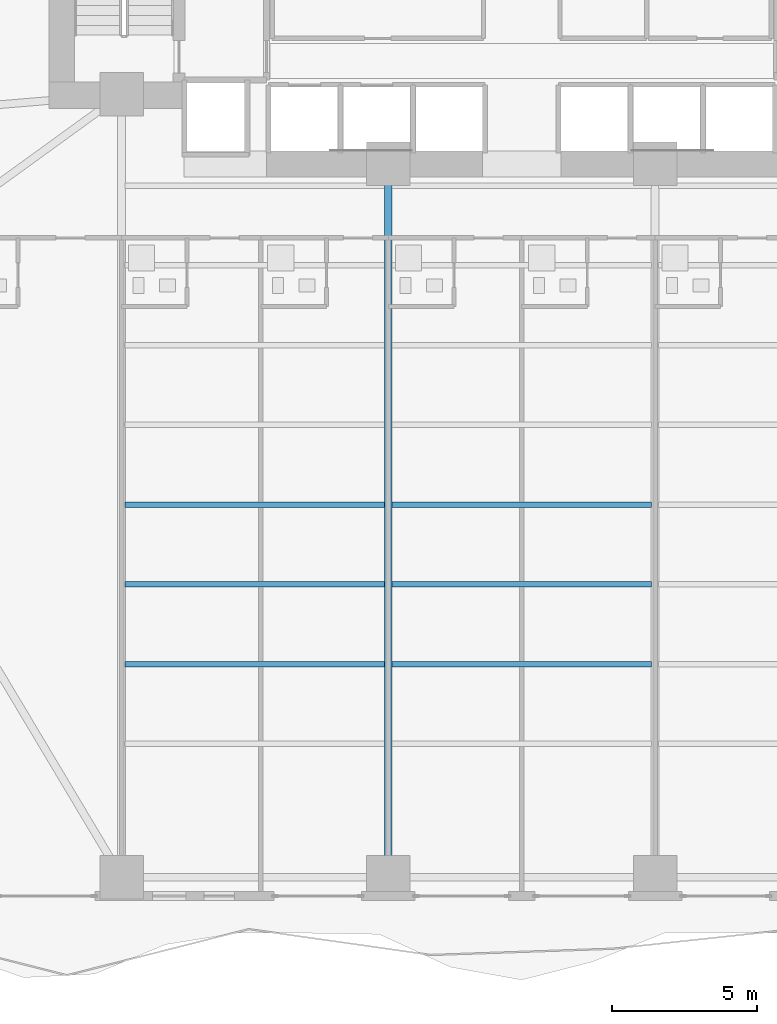
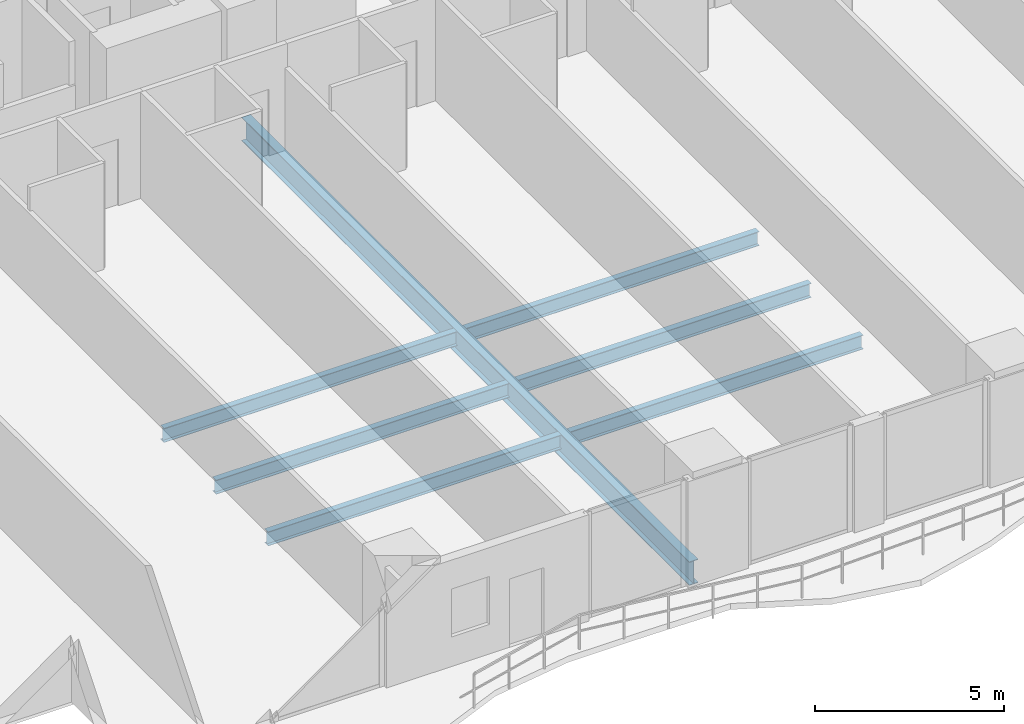
# One storey, part 5 of 29: 7 beams.
"""IFC4 building model written with IfcOpenShell, lengths in metres."""

import ifcopenshell
import ifcopenshell.guid

model = None  # the IFC model being written
_history = None  # IfcOwnerHistory: only IFC2X3 demands one
_inside = {}  # id of a spatial element -> (the spatial element, [elements in it])
_under = {}  # id of a project, library or spatial element -> (it, [spatial elements below it])
_declared = {}  # id of a project -> (the project, [libraries it declares])
_typed = {}  # id of a type object -> (the type object, [elements of that type])
_made_of = {}  # id of a material, layer set ... -> (it, [elements and type objects made of it])


def new_model(schema):
    """Start an empty IFC model of exactly this schema.

    Asked for "IFC4X3", IfcOpenShell would pick the latest addendum, in which some entities
    have other attributes; the version numbers below select the first issue.
    IFC2X3 requires an IfcOwnerHistory on every rooted entity: one is made here for all.
    """
    global model, _history
    if schema == "IFC4X3":
        model = ifcopenshell.file(schema_version=(4, 3, 0, 0))
    else:
        model = ifcopenshell.file(schema=schema)
    _inside.clear()
    _under.clear()
    _declared.clear()
    _typed.clear()
    _made_of.clear()
    _history = None
    if model.schema == "IFC2X3":
        org = make("IfcOrganization", Name="unknown")
        user = make(
            "IfcPersonAndOrganization",
            ThePerson=make("IfcPerson", FamilyName="unknown"),
            TheOrganization=org,
        )
        app = make(
            "IfcApplication",
            ApplicationDeveloper=org,
            Version="unknown",
            ApplicationFullName="unknown",
            ApplicationIdentifier="unknown",
        )
        _history = make(
            "IfcOwnerHistory",
            OwningUser=user,
            OwningApplication=app,
            ChangeAction="ADDED",
            CreationDate=0,
        )
    return model


def make(cls, **values):
    """One entity of the class cls with the attributes given. An attribute that is None is left unset."""
    return model.create_entity(
        cls, **{name: value for name, value in values.items() if value is not None}
    )


def rooted(cls, **values):
    """An entity with a GlobalId (a new one), such as an element, a storey or a relation."""
    return make(cls, GlobalId=ifcopenshell.guid.new(), OwnerHistory=_history, **values)


def si_unit(unit_type, name, prefix=None):
    """IfcSIUnit, for example si_unit("LENGTHUNIT", "METRE", prefix="MILLI")."""
    return make("IfcSIUnit", UnitType=unit_type, Prefix=prefix, Name=name)


def assignment(units):
    """IfcUnitAssignment: the units of a project."""
    return None if units is None else make("IfcUnitAssignment", Units=units)


def point(xyz):
    """IfcCartesianPoint."""
    return None if xyz is None else make("IfcCartesianPoint", Coordinates=xyz)


def direction(xyz):
    """IfcDirection."""
    return None if xyz is None else make("IfcDirection", DirectionRatios=xyz)


def frame(location, z_axis=None, x_axis=None):
    """IfcAxis2Placement3D, a coordinate frame: its origin and axes. An axis left out is left unset."""
    return make(
        "IfcAxis2Placement3D",
        Location=point(location),
        Axis=direction(z_axis),
        RefDirection=direction(x_axis),
    )


def frame_2d(location, x_axis=None):
    """IfcAxis2Placement2D, a coordinate frame in the plane: its origin and x axis."""
    return make(
        "IfcAxis2Placement2D", Location=point(location), RefDirection=direction(x_axis)
    )


def origin():
    """The frame at (0, 0, 0) with its axes left unset."""
    return frame((0.0, 0.0, 0.0))


def origin_2d():
    """The frame at (0, 0) in the plane with its x axis left unset."""
    return frame_2d((0.0, 0.0))


def place(relative_to, where):
    """IfcLocalPlacement: puts the frame where relative to a parent placement (None: the world)."""
    return make(
        "IfcLocalPlacement", PlacementRelTo=relative_to, RelativePlacement=where
    )


def context(
    kind, dimensions, precision=None, world=None, true_north=None, identifier=None
):
    """IfcGeometricRepresentationContext, for example the 3D "Model" context."""
    return make(
        "IfcGeometricRepresentationContext",
        ContextIdentifier=identifier,
        ContextType=kind,
        CoordinateSpaceDimension=dimensions,
        Precision=precision,
        WorldCoordinateSystem=world,
        TrueNorth=true_north,
    )


def subcontext(parent, identifier, kind, view, scale=None):
    """IfcGeometricRepresentationSubContext, for example "Body" below "Model"."""
    return make(
        "IfcGeometricRepresentationSubContext",
        ContextIdentifier=identifier,
        ContextType=kind,
        ParentContext=parent,
        TargetScale=scale,
        TargetView=view,
    )


def project(units=None, contexts=None):
    """IfcProject with its units and contexts."""
    return rooted(
        "IfcProject",
        Name="project",
        RepresentationContexts=contexts,
        UnitsInContext=assignment(units),
    )


def spatial(cls, under=None, at=None, **own):
    """A site, building, storey or space (cls), placed at a placement, below another one or the project."""
    s = rooted(cls, ObjectPlacement=at, **own)
    if under is not None:
        _under.setdefault(under.id(), (under, []))[1].append(s)
    return s


def profile(cls, at=None, kind="AREA", **sizes):
    """A parametric profile (cls). Its sizes go by their IFC names, for example OverallWidth=200.0."""
    return make(cls, ProfileType=kind, Position=at, **sizes)


def i_section(**sizes):
    """IfcIShapeProfileDef."""
    return profile("IfcIShapeProfileDef", **sizes)


def extrude(swept, where, along, depth):
    """IfcExtrudedAreaSolid: the profile swept, set in the frame where, extruded along a direction by depth."""
    return make(
        "IfcExtrudedAreaSolid",
        SweptArea=swept,
        Position=where,
        ExtrudedDirection=direction(along),
        Depth=depth,
    )


def shape(context_of_items, identifier, shape_type, items):
    """IfcShapeRepresentation: the items that make up one representation, for example the "Body"."""
    return make(
        "IfcShapeRepresentation",
        ContextOfItems=context_of_items,
        RepresentationIdentifier=identifier,
        RepresentationType=shape_type,
        Items=items,
    )


def material(Name=None, Category=None):
    """IfcMaterial."""
    return make("IfcMaterial", Name=Name, Category=Category)


def material_profile(
    of_material, cross_section, Name=None, Category=None, Priority=None
):
    """IfcMaterialProfile: a cross section and its material."""
    return make(
        "IfcMaterialProfile",
        Name=Name,
        Material=of_material,
        Profile=cross_section,
        Priority=Priority,
        Category=Category,
    )


def profile_set(profiles, Name=None, composite=None):
    """IfcMaterialProfileSet."""
    return make(
        "IfcMaterialProfileSet",
        Name=Name,
        MaterialProfiles=profiles,
        CompositeProfile=composite,
    )


def made_of(thing, what):
    """Note that an element or type object is made of a material, layer set ...; save() writes the relation."""
    if what is not None:
        _made_of.setdefault(what.id(), (what, []))[1].append(thing)
    return thing


def type_object(cls, material=None, **own):
    """A type object (cls), such as IfcWallType, which elements share."""
    return made_of(rooted(cls, **own), material)


def element(
    cls,
    number,
    at=None,
    inside=None,
    cuts=None,
    type_object=None,
    material=None,
    context=None,
    identifier="Body",
    shape_type=None,
    held_by="IfcProductDefinitionShape",
    body=None,
    shapes=None,
    **own,
):
    """One element of the class cls, such as IfcWall. Its Tag is "e" and its number.

    at: its placement. inside: the storey or other place that contains it. cuts: it is an
    opening in that element (IfcRelVoidsElement). A single representation is given by context,
    identifier, shape_type and body (its items); several are given by shapes. held_by: the class
    of the entity that holds the representations. save() writes the other relations.
    """
    e = rooted(cls, Tag="e%d" % number, ObjectPlacement=at, **own)
    if body is not None:
        shapes = [shape(context, identifier, shape_type, body)]
    if shapes is not None:
        e.Representation = make(held_by, Representations=shapes)
    if inside is not None:
        _inside.setdefault(inside.id(), (inside, []))[1].append(e)
    if cuts is not None:
        rooted(
            "IfcRelVoidsElement", RelatingBuildingElement=cuts, RelatedOpeningElement=e
        )
    if type_object is not None:
        _typed.setdefault(type_object.id(), (type_object, []))[1].append(e)
    return made_of(e, material)


def aggregate(whole, parts):
    """IfcRelAggregates: a whole, such as a stair, and the parts it consists of."""
    return rooted("IfcRelAggregates", RelatingObject=whole, RelatedObjects=parts)


def save(model, path):
    """Write the relations noted so far, then the file.

    IfcRelAggregates (storeys below a building ...), IfcRelContainedInSpatialStructure (elements
    in a storey), IfcRelDefinesByType, IfcRelAssociatesMaterial and IfcRelDeclares: one each for
    every whole, place, type object, material and project.
    """
    for whole, parts in _under.values():
        aggregate(whole, parts)
    for where, things in _inside.values():
        rooted(
            "IfcRelContainedInSpatialStructure",
            RelatedElements=things,
            RelatingStructure=where,
        )
    for kind, things in _typed.values():
        rooted("IfcRelDefinesByType", RelatedObjects=things, RelatingType=kind)
    for what, things in _made_of.values():
        rooted("IfcRelAssociatesMaterial", RelatedObjects=things, RelatingMaterial=what)
    for by, libraries in _declared.values():
        rooted("IfcRelDeclares", RelatingContext=by, RelatedDefinitions=libraries)
    model.write(path)


model = new_model("IFC4")

# Units and contexts
model_context = context("Model", 3, precision=1e-05, world=origin(), true_north=direction((0.0, 1.0)))
body_context = subcontext(model_context, "Body", "Model", "MODEL_VIEW")
ifc_project = project(units=[si_unit("LENGTHUNIT", "METRE"), si_unit("AREAUNIT", "SQUARE_METRE"), si_unit("VOLUMEUNIT", "CUBIC_METRE"), si_unit("PLANEANGLEUNIT", "RADIAN"), si_unit("MASSUNIT", "GRAM", prefix="KILO")], contexts=[model_context])

# Site, building, storey
site_placement = place(None, origin())
site = spatial("IfcSite", under=ifc_project, at=site_placement, CompositionType="ELEMENT")
building_placement = place(site_placement, origin())
building = spatial("IfcBuilding", under=site, at=building_placement, Name="Zuhayl Quay Hotel", CompositionType="ELEMENT")
storey_placement = place(building_placement, frame((0.0, 0.0, 60.449951171875)))
storey = spatial("IfcBuildingStorey", under=building, at=storey_placement, Name="L14", CompositionType="ELEMENT", Elevation=60.449951171875)

# Beams
ifc_material = material(Name="Steel ASTM A992 Grade 50", Category="steel")
ifc_material_profile_1 = material_profile(ifc_material, i_section(OverallWidth=0.26708984375, OverallDepth=0.761962890625, WebThickness=0.014404296875, FlangeThickness=0.021484375, at=origin_2d()), Name="W30X116")
ifc_profile_set_1 = profile_set([ifc_material_profile_1], Name="Steel ASTM A992 Grade 50")
beam_type_1 = type_object("IfcBeamType", Name="BM_B1_W30X116", PredefinedType="BEAM", material=ifc_profile_set_1)
beam_1_placement = place(storey_placement, frame((-4.60009765625, -21.949951171875, -0.600830078125), z_axis=(0.0, 1.0, 0.0), x_axis=(-1.0, 0.0, 0.0)))
element("IfcBeam", 1, at=beam_1_placement, inside=storey, type_object=beam_type_1, Name="L14 Floor Beam FG_S_L14_2", PredefinedType="BEAM", context=body_context, shape_type="SweptSolid", body=[
    extrude(i_section(OverallWidth=0.26708984375, OverallDepth=0.761962890625, WebThickness=0.014404296875, FlangeThickness=0.021484375, at=origin_2d()), origin(), (0.0, 0.0, 1.0), 23.64990234375),
])
ifc_material_profile_2 = material_profile(ifc_material, i_section(OverallWidth=0.18994140625, OverallDepth=0.45703125, WebThickness=0.009033203125, FlangeThickness=0.014404296875, at=origin_2d()), Name="W18X50")
ifc_profile_set_2 = profile_set([ifc_material_profile_2], Name="Steel ASTM A992 Grade 50")
beam_type_2 = type_object("IfcBeamType", Name="BM_J2_W18X50", PredefinedType="JOIST", material=ifc_profile_set_2)
beam_2_placement = place(storey_placement, frame((-13.674560546875, -15.10009765625, -0.448486328125), z_axis=(1.0, 0.0, 0.0), x_axis=(0.0, 1.0, 0.0)))
element("IfcBeam", 2, at=beam_2_placement, inside=storey, type_object=beam_type_2, Name="L14 Floor Beam FJ_L14_4_1", PredefinedType="JOIST", context=body_context, shape_type="SweptSolid", body=[
    extrude(i_section(OverallWidth=0.18994140625, OverallDepth=0.45703125, WebThickness=0.009033203125, FlangeThickness=0.014404296875, at=origin_2d()), origin(), (0.0, 0.0, 1.0), 8.948974609375),
])
beam_3_placement = place(storey_placement, frame((-4.474609375, -15.10009765625, -0.448486328125), z_axis=(1.0, 0.0, 0.0), x_axis=(0.0, 1.0, 0.0)))
element("IfcBeam", 3, at=beam_3_placement, inside=storey, type_object=beam_type_2, Name="L14 Floor Beam FJ_L14_4_2", PredefinedType="JOIST", context=body_context, shape_type="SweptSolid", body=[
    extrude(i_section(OverallWidth=0.18994140625, OverallDepth=0.45703125, WebThickness=0.009033203125, FlangeThickness=0.014404296875, at=origin_2d()), origin(), (0.0, 0.0, 1.0), 8.94921875),
])
beam_4_placement = place(storey_placement, frame((-13.674560546875, -12.35009765625, -0.448486328125), z_axis=(1.0, 0.0, 0.0), x_axis=(0.0, 1.0, 0.0)))
element("IfcBeam", 4, at=beam_4_placement, inside=storey, type_object=beam_type_2, Name="L14 Floor Beam FJ_L14_5_1", PredefinedType="JOIST", context=body_context, shape_type="SweptSolid", body=[
    extrude(i_section(OverallWidth=0.18994140625, OverallDepth=0.45703125, WebThickness=0.009033203125, FlangeThickness=0.014404296875, at=origin_2d()), origin(), (0.0, 0.0, 1.0), 8.948974609375),
])
beam_5_placement = place(storey_placement, frame((-4.474609375, -12.35009765625, -0.448486328125), z_axis=(1.0, 0.0, 0.0), x_axis=(0.0, 1.0, 0.0)))
element("IfcBeam", 5, at=beam_5_placement, inside=storey, type_object=beam_type_2, Name="L14 Floor Beam FJ_L14_5_2", PredefinedType="JOIST", context=body_context, shape_type="SweptSolid", body=[
    extrude(i_section(OverallWidth=0.18994140625, OverallDepth=0.45703125, WebThickness=0.009033203125, FlangeThickness=0.014404296875, at=origin_2d()), origin(), (0.0, 0.0, 1.0), 8.94921875),
])
beam_6_placement = place(storey_placement, frame((-13.674560546875, -9.60009765625, -0.448486328125), z_axis=(1.0, 0.0, 0.0), x_axis=(0.0, 1.0, 0.0)))
element("IfcBeam", 6, at=beam_6_placement, inside=storey, type_object=beam_type_2, Name="L14 Floor Beam FJ_L14_6_1", PredefinedType="JOIST", context=body_context, shape_type="SweptSolid", body=[
    extrude(i_section(OverallWidth=0.18994140625, OverallDepth=0.45703125, WebThickness=0.009033203125, FlangeThickness=0.014404296875, at=origin_2d()), origin(), (0.0, 0.0, 1.0), 8.948974609375),
])
beam_7_placement = place(storey_placement, frame((-4.474609375, -9.60009765625, -0.448486328125), z_axis=(1.0, 0.0, 0.0), x_axis=(0.0, 1.0, 0.0)))
element("IfcBeam", 7, at=beam_7_placement, inside=storey, type_object=beam_type_2, Name="L14 Floor Beam FJ_L14_6_2", PredefinedType="JOIST", context=body_context, shape_type="SweptSolid", body=[
    extrude(i_section(OverallWidth=0.18994140625, OverallDepth=0.45703125, WebThickness=0.009033203125, FlangeThickness=0.014404296875, at=origin_2d()), origin(), (0.0, 0.0, 1.0), 8.94921875),
])

save(model, "model.ifc")
